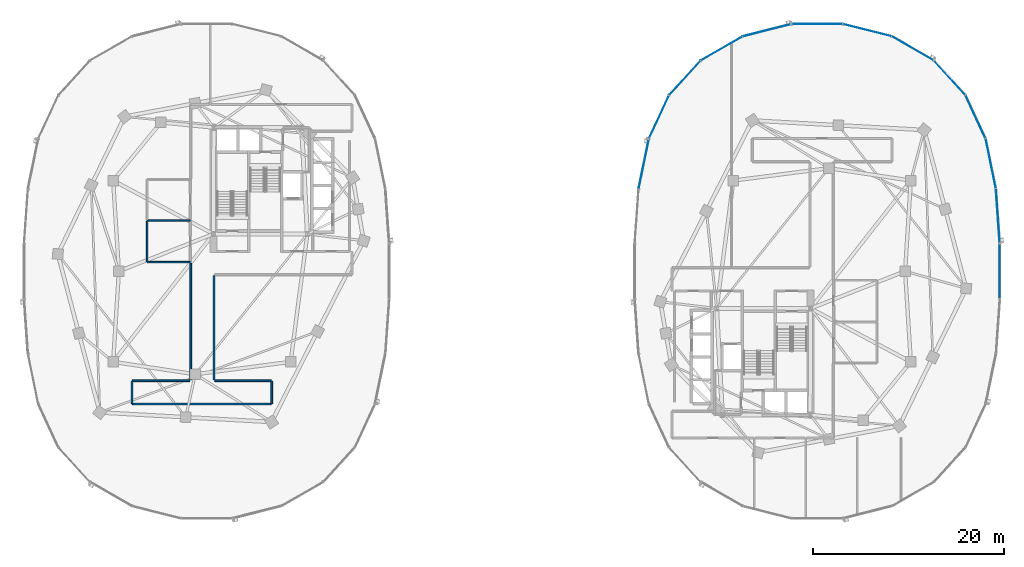
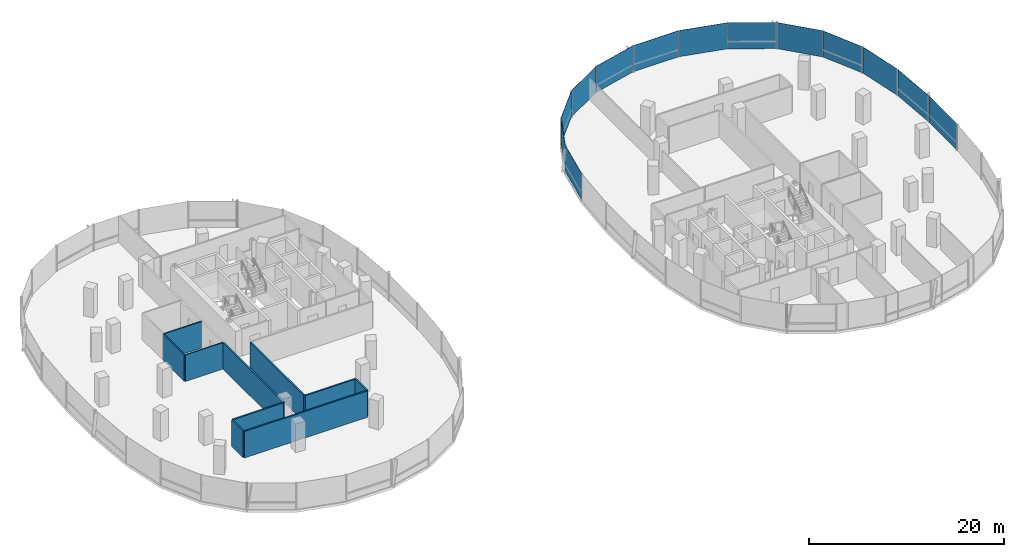
# One storey, part 10 of 20: 13 plates, 10 walls, 3 elements without a shape of their own.
"""IFC4 building model written with IfcOpenShell, lengths in metres."""

from ifc_helpers import new_model, si_unit, direction, frame, frame_2d, origin, origin_2d, place, context, subcontext, project, spatial, rectangle, extrude, material, layer, layer_set, type_object, element, aggregate, save


model = new_model("IFC4")

# Units and contexts
model_context = context("Model", 3, precision=1e-05, world=origin(), true_north=direction((0.0, 1.0)))
body_context = subcontext(model_context, "Body", "Model", "MODEL_VIEW")
ifc_project = project(units=[si_unit("LENGTHUNIT", "METRE"), si_unit("AREAUNIT", "SQUARE_METRE"), si_unit("VOLUMEUNIT", "CUBIC_METRE"), si_unit("PLANEANGLEUNIT", "RADIAN"), si_unit("MASSUNIT", "GRAM", prefix="KILO"), si_unit("THERMODYNAMICTEMPERATUREUNIT", "KELVIN"), si_unit("POWERUNIT", "WATT")], contexts=[model_context])

# Site, building, storey
site_placement = place(None, origin())
site = spatial("IfcSite", under=ifc_project, at=site_placement, CompositionType="ELEMENT")
building_placement = place(site_placement, origin())
building = spatial("IfcBuilding", under=site, at=building_placement, Name="Cundina Bronze Exchange", CompositionType="ELEMENT")
storey_placement = place(building_placement, frame((0.0, 0.0, 128.60009765625)))
storey = spatial("IfcBuildingStorey", under=building, at=storey_placement, Name="L33", CompositionType="ELEMENT", Elevation=128.60009765625)

# Curtain wall, plates
ifc_material_1 = material(Name="Anodised Bronze Aluminium 6063-T6", Category="aluminium")
curtain_wall_type = type_object("IfcCurtainWallType", Name="CWS-TRD-MID", PredefinedType="NOTDEFINED", material=ifc_material_1)
curtain_wall_1_placement = place(storey_placement, origin())
curtain_wall_1 = element("IfcCurtainWall", 1, at=curtain_wall_1_placement, inside=storey, type_object=curtain_wall_type, Name="L33 CW-03 Curtain Wall Run CWR-L33-E1", PredefinedType="NOTDEFINED")
ifc_material_2 = material(Name="Heat-Strengthened Solar-Control Bronze Safety Glass 28mm", Category="glass")
ifc_layer_1 = layer(ifc_material_2, 0.028076171875, Name="Heat-Strengthened Solar-Control Bronze Safety Glass 28mm", Category="glass")
ifc_layer_set_1 = layer_set([ifc_layer_1], Name="Heat-Strengthened Solar-Control Bronze Safety Glass 28mm")
plate_type_1 = type_object("IfcPlateType", Name="PLT-GLZ-VIS28", PredefinedType="CURTAIN_PANEL", material=ifc_layer_set_1)
plate_1_placement = place(storey_placement, frame((50.9267578125, 5.783935546875, 0.02001953125), z_axis=(0.0, 0.0, 1.0), x_axis=(-0.070278787473, 0.997527389113, 0.0)))
plate_1 = element("IfcPlate", 2, at=plate_1_placement, type_object=plate_type_1, Name="CW-03 Glazed Panel 1", PredefinedType="CURTAIN_PANEL", context=body_context, shape_type="SweptSolid", body=[
    extrude(rectangle(XDim=5.644287109375, YDim=0.028076171875, at=origin_2d()), origin(), (0.0, 0.0, 1.0), 3.280029296875),
])
plate_2_placement = place(storey_placement, frame((48.586181640625, 16.177734375, 0.02001953125), z_axis=(0.0, 0.0, 1.0), x_axis=(-0.42084583328, 0.907132175932, 0.0)))
plate_2 = element("IfcPlate", 3, at=plate_2_placement, type_object=plate_type_1, Name="CW-03 Glazed Panel 3", PredefinedType="CURTAIN_PANEL", context=body_context, shape_type="SweptSolid", body=[
    extrude(rectangle(XDim=4.966552734375, YDim=0.028076171875, at=origin_2d()), origin(), (0.0, 0.0, 1.0), 3.280029296875),
])
plate_3_placement = place(storey_placement, frame((45.8740234375, 20.267333984375, 0.02001953125), z_axis=(0.0, 0.0, 1.0), x_axis=(-0.674276610219, 0.73847887777, 0.0)))
plate_3 = element("IfcPlate", 4, at=plate_3_placement, type_object=plate_type_1, Name="CW-03 Glazed Panel 4", PredefinedType="CURTAIN_PANEL", context=body_context, shape_type="SweptSolid", body=[
    extrude(rectangle(XDim=4.86328125, YDim=0.028076171875, at=origin_2d()), origin(), (0.0, 0.0, 1.0), 3.280029296875),
])
plate_4_placement = place(storey_placement, frame((42.019287109375, 23.34423828125, 0.02001953125), z_axis=(0.0, 0.0, 1.0), x_axis=(-0.867105478933, 0.498124571171, 0.0)))
plate_4 = element("IfcPlate", 5, at=plate_4_placement, type_object=plate_type_1, Name="CW-03 Glazed Panel 5", PredefinedType="CURTAIN_PANEL", context=body_context, shape_type="SweptSolid", body=[
    extrude(rectangle(XDim=5.021240234375, YDim=0.028076171875, at=origin_2d()), origin(), (0.0, 0.0, 1.0), 3.280029296875),
])
plate_5_placement = place(storey_placement, frame((37.255615234375, 25.256591796875, 0.02001953125), z_axis=(0.0, 0.0, 1.0), x_axis=(-0.969488149345, 0.245138182011, 0.0)))
plate_5 = element("IfcPlate", 6, at=plate_5_placement, type_object=plate_type_1, Name="CW-03 Glazed Panel 6", PredefinedType="CURTAIN_PANEL", context=body_context, shape_type="SweptSolid", body=[
    extrude(rectangle(XDim=5.2333984375, YDim=0.028076171875, at=origin_2d()), origin(), (0.0, 0.0, 1.0), 3.280029296875),
])

curtain_wall_2_placement = place(storey_placement, origin())
curtain_wall_2 = element("IfcCurtainWall", 7, at=curtain_wall_2_placement, inside=storey, type_object=curtain_wall_type, Name="L33 CW-03 Curtain Wall Run CWR-L33-E2", PredefinedType="NOTDEFINED")
plate_6_placement = place(storey_placement, frame((21.980712890625, 23.34423828125, 0.02001953125), z_axis=(0.0, 0.0, 1.0), x_axis=(-0.867105478933, -0.498124571171, 0.0)))
plate_6 = element("IfcPlate", 8, at=plate_6_placement, type_object=plate_type_1, Name="CW-03 Glazed Panel 2", PredefinedType="CURTAIN_PANEL", context=body_context, shape_type="SweptSolid", body=[
    extrude(rectangle(XDim=5.021240234375, YDim=0.028076171875, at=origin_2d()), origin(), (0.0, 0.0, 1.0), 3.280029296875),
])
plate_7_placement = place(storey_placement, frame((18.1259765625, 20.267333984375, 0.02001953125), z_axis=(0.0, 0.0, 1.0), x_axis=(-0.674276610219, -0.73847887777, 0.0)))
plate_7 = element("IfcPlate", 9, at=plate_7_placement, type_object=plate_type_1, Name="CW-03 Glazed Panel 3", PredefinedType="CURTAIN_PANEL", context=body_context, shape_type="SweptSolid", body=[
    extrude(rectangle(XDim=4.86328125, YDim=0.028076171875, at=origin_2d()), origin(), (0.0, 0.0, 1.0), 3.280029296875),
])
plate_8_placement = place(storey_placement, frame((15.413818359375, 16.177734375, 0.02001953125), z_axis=(0.0, 0.0, 1.0), x_axis=(-0.42084583328, -0.907132175932, 0.0)))
plate_8 = element("IfcPlate", 10, at=plate_8_placement, type_object=plate_type_1, Name="CW-03 Glazed Panel 4", PredefinedType="CURTAIN_PANEL", context=body_context, shape_type="SweptSolid", body=[
    extrude(rectangle(XDim=4.966552734375, YDim=0.028076171875, at=origin_2d()), origin(), (0.0, 0.0, 1.0), 3.280029296875),
])
plate_9_placement = place(storey_placement, frame((13.81591796875, 11.269775390625, 0.02001953125), z_axis=(0.0, 0.0, 1.0), x_axis=(-0.201419845156, -0.979505000486, 0.0)))
plate_9 = element("IfcPlate", 11, at=plate_9_placement, type_object=plate_type_1, Name="CW-03 Glazed Panel 5", PredefinedType="CURTAIN_PANEL", context=body_context, shape_type="SweptSolid", body=[
    extrude(rectangle(XDim=5.306640625, YDim=0.028076171875, at=origin_2d()), origin(), (0.0, 0.0, 1.0), 3.280029296875),
])

# Curtain wall, plate
curtain_wall_3_placement = place(storey_placement, origin())
curtain_wall_3 = element("IfcCurtainWall", 12, at=curtain_wall_3_placement, inside=storey, type_object=curtain_wall_type, Name="L33 CW-03 Curtain Wall Run CWR-L33-E4", PredefinedType="NOTDEFINED")
plate_10_placement = place(storey_placement, frame((51.1279296875, 0.0, 0.02001953125), z_axis=(0.0, 0.0, 1.0), x_axis=(0.0, 1.0, 0.0)))
plate_10 = element("IfcPlate", 13, at=plate_10_placement, type_object=plate_type_1, Name="CW-03 Glazed Panel 7", PredefinedType="CURTAIN_PANEL", context=body_context, shape_type="SweptSolid", body=[
    extrude(rectangle(XDim=5.77587890625, YDim=0.028076171875, at=origin_2d()), origin(), (0.0, 0.0, 1.0), 3.280029296875),
])
aggregate(curtain_wall_3, [plate_10])

# Plate
ifc_material_3 = material(Name="Dark Bronze Spandrel Glass Panel 32mm", Category="glass")
ifc_layer_2 = layer(ifc_material_3, 0.031982421875, Name="Dark Bronze Spandrel Glass Panel 32mm", Category="glass")
ifc_layer_set_2 = layer_set([ifc_layer_2], Name="Dark Bronze Spandrel Glass Panel 32mm")
plate_type_2 = type_object("IfcPlateType", Name="PLT-SPN-BRZ32", PredefinedType="CURTAIN_PANEL", material=ifc_layer_set_2)
plate_11_placement = place(storey_placement, frame((50.18408203125, 11.269775390625, 0.02001953125), z_axis=(0.0, 0.0, 1.0), x_axis=(-0.201419845156, 0.979505000486, 0.0)))
plate_11 = element("IfcPlate", 14, at=plate_11_placement, type_object=plate_type_2, Name="CW-03 Glazed Panel 2", PredefinedType="CURTAIN_PANEL", context=body_context, shape_type="SweptSolid", body=[
    extrude(rectangle(XDim=5.306640625, YDim=0.031982421875, at=origin_2d()), origin(), (0.0, 0.0, 1.0), 3.280029296875),
])

plate_12_placement = place(storey_placement, frame((32.0, 25.905029296875, 0.02001953125), z_axis=(0.0, 0.0, 1.0), x_axis=(-1.0, 0.0, 0.0)))
plate_12 = element("IfcPlate", 15, at=plate_12_placement, type_object=plate_type_2, Name="CW-03 Glazed Panel 7", PredefinedType="CURTAIN_PANEL", context=body_context, shape_type="SweptSolid", body=[
    extrude(rectangle(XDim=5.323974609375, YDim=0.031982421875, at=origin_2d()), origin(), (0.0, 0.0, 1.0), 3.280029296875),
])

aggregate(curtain_wall_1, [plate_1, plate_11, plate_2, plate_3, plate_4, plate_5, plate_12])

plate_13_placement = place(storey_placement, frame((26.744384765625, 25.256591796875, 0.02001953125), z_axis=(0.0, 0.0, 1.0), x_axis=(-0.969488149345, -0.245138182011, 0.0)))
plate_13 = element("IfcPlate", 16, at=plate_13_placement, type_object=plate_type_2, Name="CW-03 Glazed Panel 1", PredefinedType="CURTAIN_PANEL", context=body_context, shape_type="SweptSolid", body=[
    extrude(rectangle(XDim=5.2333984375, YDim=0.031982421875, at=origin_2d()), origin(), (0.0, 0.0, 1.0), 3.280029296875),
])

aggregate(curtain_wall_2, [plate_13, plate_6, plate_7, plate_8, plate_9])

# Walls
ifc_material_4 = material(Name="Gypsum Fireboard Partition EI120")
ifc_layer_3 = layer(ifc_material_4, 0.179931640625, Name="Gypsum Fireboard Partition EI120")
ifc_layer_set_3 = layer_set([ifc_layer_3], Name="Gypsum Fireboard Partition EI120")
wall_type_1 = type_object("IfcWallType", Name="WL-COR-180", PredefinedType="PARTITIONING", material=ifc_layer_set_3)
wall_1_placement = place(storey_placement, frame((-39.778564453125, -13.919921875, 0.0), z_axis=(0.0, 0.0, 1.0), x_axis=(1.0, 0.0, 0.0)))
element("IfcWall", 17, at=wall_1_placement, inside=storey, type_object=wall_type_1, Name="L33 Interior Partition 016", PredefinedType="PARTITIONING", context=body_context, shape_type="SweptSolid", body=[
    extrude(rectangle(XDim=14.55712890625, YDim=0.179931640625, at=frame_2d((7.278564453125, 0.0))), origin(), (0.0, 0.0, 1.0), 3.31982421875),
])
wall_2_placement = place(storey_placement, frame((-33.669921875, 0.858642578125, 0.0), z_axis=(0.0, 0.0, 1.0), x_axis=(0.0, -1.0, 0.0)))
element("IfcWall", 18, at=wall_2_placement, inside=storey, type_object=wall_type_1, Name="L33 Interior Partition 018", PredefinedType="PARTITIONING", context=body_context, shape_type="SweptSolid", body=[
    extrude(rectangle(XDim=12.258544921875, YDim=0.179931640625, at=frame_2d((6.12939453125, 0.0))), origin(), (0.0, 0.0, 1.0), 3.31982421875),
])
wall_3_placement = place(storey_placement, frame((-31.22998046875, -11.39990234375, 0.0), z_axis=(0.0, 0.0, 1.0), x_axis=(0.0, 1.0, 0.0)))
element("IfcWall", 19, at=wall_3_placement, inside=storey, type_object=wall_type_1, Name="L33 Interior Partition 019", PredefinedType="PARTITIONING", context=body_context, shape_type="SweptSolid", body=[
    extrude(rectangle(XDim=10.949951171875, YDim=0.179931640625, at=frame_2d((5.47509765625, 0.0))), origin(), (0.0, 0.0, 1.0), 3.31982421875),
])
wall_4_placement = place(storey_placement, frame((-33.75, -11.47998046875, 0.0), z_axis=(0.0, 0.0, 1.0), x_axis=(-1.0, 0.0, 0.0)))
element("IfcWall", 20, at=wall_4_placement, inside=storey, type_object=wall_type_1, Name="L33 Interior Partition 021", PredefinedType="PARTITIONING", context=body_context, shape_type="SweptSolid", body=[
    extrude(rectangle(XDim=6.028564453125, YDim=0.179931640625, at=frame_2d((3.01416015625, 0.0))), origin(), (0.0, 0.0, 1.0), 3.31982421875),
])
wall_5_placement = place(storey_placement, frame((-25.221435546875, -11.47998046875, 0.0), z_axis=(0.0, 0.0, 1.0), x_axis=(-1.0, 0.0, 0.0)))
element("IfcWall", 21, at=wall_5_placement, inside=storey, type_object=wall_type_1, Name="L33 Interior Partition 022", PredefinedType="PARTITIONING", context=body_context, shape_type="SweptSolid", body=[
    extrude(rectangle(XDim=5.928466796875, YDim=0.179931640625, at=frame_2d((2.96435546875, 0.0))), origin(), (0.0, 0.0, 1.0), 3.31982421875),
])
for number, where, z_axis, x_axis, name in (
    (22, (-39.820068359375, -11.521484375, 0.0), (0.0, 0.0, 1.0), (0.0, -1.0, 0.0), "L33 Interior Partition 026"),
    (23, (-25.179931640625, -13.87841796875, 0.0), (0.0, 0.0, 1.0), (0.0, 1.0, 0.0), "L33 Interior Partition 027"),
):
    element("IfcWall", number, at=place(storey_placement, frame(where, z_axis=z_axis, x_axis=x_axis)), inside=storey, type_object=wall_type_1, Name=name, PredefinedType="PARTITIONING", context=body_context, shape_type="SweptSolid", body=[
        extrude(rectangle(XDim=2.35693359375, YDim=0.179931640625, at=frame_2d((1.178466796875, 0.0))), origin(), (0.0, 0.0, 1.0), 3.31982421875),
    ])
ifc_material_5 = material(Name="Moisture-Resistant Masonry Block Grade M15", Category="masonry")
ifc_layer_4 = layer(ifc_material_5, 0.139892578125, Name="Moisture-Resistant Masonry Block Grade M15", Category="masonry")
ifc_layer_set_4 = layer_set([ifc_layer_4], Name="Moisture-Resistant Masonry Block Grade M15")
wall_type_2 = type_object("IfcWallType", Name="WL-WET-140", PredefinedType="PARTITIONING", material=ifc_layer_set_4)
wall_6_placement = place(storey_placement, frame((-38.239990234375, 0.969970703125, 0.0), z_axis=(0.0, 0.0, 1.0), x_axis=(0.0, 1.0, 0.0)))
element("IfcWall", 24, at=wall_6_placement, inside=storey, type_object=wall_type_2, Name="L33 Interior Partition 007", PredefinedType="PARTITIONING", context=body_context, shape_type="SweptSolid", body=[
    extrude(rectangle(XDim=4.275146484375, YDim=0.139892578125, at=frame_2d((2.1376953125, 0.0))), origin(), (0.0, 0.0, 1.0), 3.31982421875),
])
for number, where, z_axis, x_axis, name in (
    (25, (-38.219970703125, 0.949951171875, 0.0), (0.0, 0.0, 1.0), (1.0, 0.0, 0.0), "L33 Interior Partition 009"),
    (26, (-38.219970703125, 5.330078125, 0.0), (0.0, 0.0, 1.0), (1.0, 0.0, 0.0), "L33 Interior Partition 010"),
):
    element("IfcWall", number, at=place(storey_placement, frame(where, z_axis=z_axis, x_axis=x_axis)), inside=storey, type_object=wall_type_2, Name=name, PredefinedType="PARTITIONING", context=body_context, shape_type="SweptSolid", body=[
        extrude(rectangle(XDim=4.47998046875, YDim=0.139892578125, at=frame_2d((2.239990234375, 0.0))), origin(), (0.0, 0.0, 1.0), 3.31982421875),
    ])

save(model, "model.ifc")
